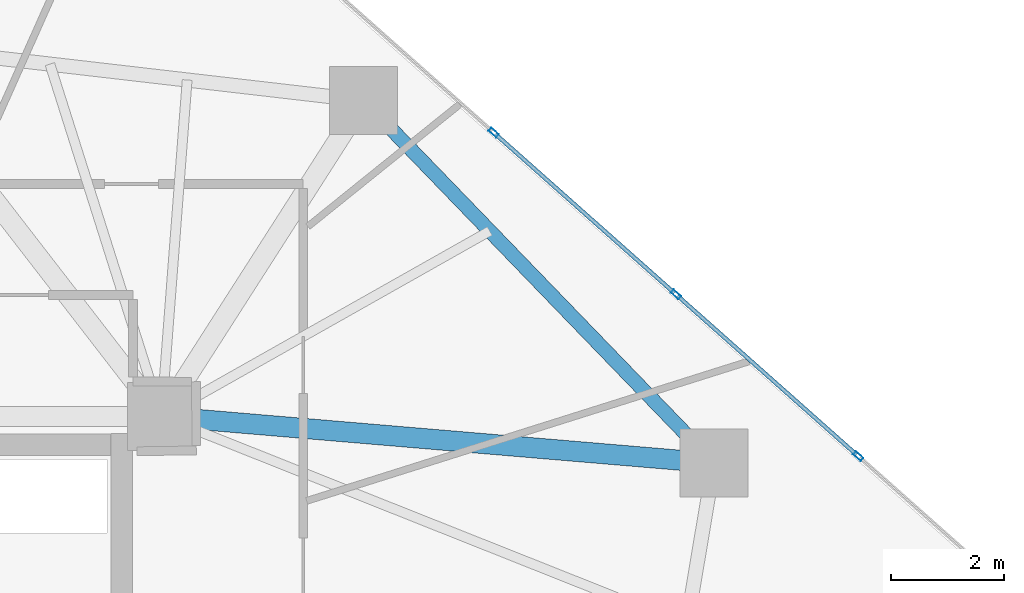
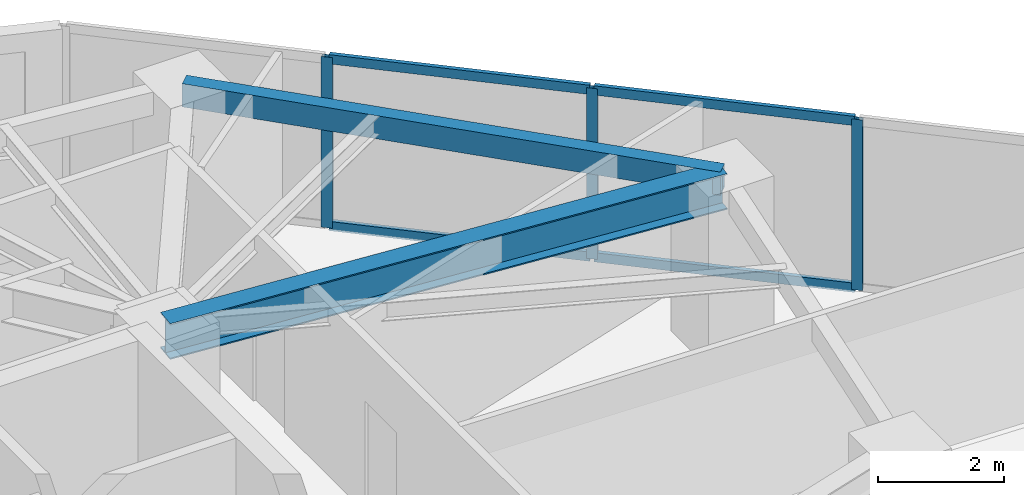
# One storey, part 14 of 24: 7 members, 2 beams, 1 element without a shape of its own.
"""IFC4 building model written with IfcOpenShell, lengths in metres."""

from ifc_helpers import new_model, si_unit, direction, frame, origin, origin_2d, place, context, subcontext, project, spatial, hollow_rectangle, i_section, extrude, source, transform, mapped, material, layer, layer_set, material_profile, profile_set, type_object, type_shapes, element, aggregate, save


model = new_model("IFC4")

# Units and contexts
model_context = context("Model", 3, precision=1e-05, world=origin(), true_north=direction((0.0, 1.0)))
body_context = subcontext(model_context, "Body", "Model", "MODEL_VIEW")
ifc_project = project(units=[si_unit("LENGTHUNIT", "METRE"), si_unit("AREAUNIT", "SQUARE_METRE"), si_unit("VOLUMEUNIT", "CUBIC_METRE"), si_unit("PLANEANGLEUNIT", "RADIAN"), si_unit("MASSUNIT", "GRAM", prefix="KILO")], contexts=[model_context])

# Site, building, storey
site_placement = place(None, origin())
site = spatial("IfcSite", under=ifc_project, at=site_placement, CompositionType="ELEMENT")
building_placement = place(site_placement, origin())
building = spatial("IfcBuilding", under=site, at=building_placement, Name="Talar Marvaseh", CompositionType="ELEMENT")
storey_placement = place(building_placement, frame((0.0, 0.0, 111.0)))
storey = spatial("IfcBuildingStorey", under=building, at=storey_placement, Name="L28", CompositionType="ELEMENT", Elevation=111.0)

# Beams
ifc_material_1 = material(Name="Steel S355", Category="steel")
ifc_material_profile_1 = material_profile(ifc_material_1, hollow_rectangle(XDim=0.25, YDim=0.449951171875, WallThickness=0.01611328125, at=origin_2d()), Name="RHS450x250x16")
ifc_profile_set_1 = profile_set([ifc_material_profile_1], Name="Steel S355")
beam_type_1 = type_object("IfcBeamType", Name="Zone 2 Perimeter Spandrel Beam RHS450x250x16", PredefinedType="SPANDREL", material=ifc_profile_set_1)
beam_1_placement = place(storey_placement, frame((36.865966796875, 42.470947265625, 3.0849609375), z_axis=(0.694796856243, -0.719206040405, 0.0), x_axis=(0.719206040405, 0.694796856243, 0.0)))
element("IfcBeam", 1, at=beam_1_placement, inside=storey, type_object=beam_type_1, Name="L28 Zone 2 Perimeter Spandrel Beam RHS450x250x16", PredefinedType="SPANDREL", context=body_context, shape_type="SweptSolid", body=[
    extrude(hollow_rectangle(XDim=0.25, YDim=0.449951171875, WallThickness=0.01611328125, at=origin_2d()), origin(), (0.0, 0.0, 1.0), 8.891845703125),
])
ifc_material_profile_2 = material_profile(ifc_material_1, i_section(OverallWidth=0.35498046875, OverallDepth=0.695068359375, WebThickness=0.015380859375, FlangeThickness=0.02490234375, at=origin_2d()), Name="W690x217")
ifc_profile_set_2 = profile_set([ifc_material_profile_2], Name="Steel S355")
beam_type_2 = type_object("IfcBeamType", Name="Zone 2 Radial Floor Girder W690x217", PredefinedType="BEAM", material=ifc_profile_set_2)
beam_2_placement = place(storey_placement, frame((43.0439453125, 36.075927734375, 2.96240234375), z_axis=(-0.996443598923, 0.084262412527, 0.0), x_axis=(-0.084262412527, -0.996443598923, 0.0)))
element("IfcBeam", 2, at=beam_2_placement, inside=storey, type_object=beam_type_2, Name="L28 Zone 2 Radial Floor Girder W690x217", PredefinedType="BEAM", context=body_context, shape_type="SweptSolid", body=[
    extrude(i_section(OverallWidth=0.35498046875, OverallDepth=0.695068359375, WebThickness=0.015380859375, FlangeThickness=0.02490234375, at=origin_2d()), origin(), (0.0, 0.0, 1.0), 9.778564453125),
])

# Curtain wall, members
ifc_material_2 = material(Name="Architectural Aluminium", Category="aluminium")
ifc_layer = layer(ifc_material_2, 0.199951171875)
ifc_layer_set = layer_set([ifc_layer], Name="Architectural Aluminium")
curtain_wall_type = type_object("IfcCurtainWallType", Name="Unitised Acoustic Library Curtain Wall Z2", PredefinedType="NOTDEFINED", material=ifc_layer_set)
curtain_wall_placement = place(storey_placement, origin())
curtain_wall = element("IfcCurtainWall", 3, at=curtain_wall_placement, inside=storey, type_object=curtain_wall_type, Name="L28 Unitised Acoustic Library Curtain Wall Z2", PredefinedType="NOTDEFINED")
ifc_material_profile_3 = material_profile(ifc_material_2, hollow_rectangle(XDim=0.074951171875, YDim=0.179931640625, WallThickness=0.0048828125, at=origin_2d()), Name="RHS180x75x5")
ifc_profile_set_3 = profile_set([ifc_material_profile_3], Name="Architectural Aluminium")
member_type_1 = type_object("IfcMemberType", Name="Unitised Curtain Wall Standard Mullion RHS180x75x5", PredefinedType="MULLION", material=ifc_profile_set_3)
shared_shape_1 = source(origin(), body_context, "Body", "SweptSolid", [
    extrude(hollow_rectangle(XDim=0.074951171875, YDim=0.179931640625, WallThickness=0.0048828125, at=origin_2d()), origin(), (0.0, 0.0, 1.0), 3.31005859375),
])
type_shapes(member_type_1, [shared_shape_1])
member_1_placement = place(storey_placement, frame((39.158935546875, 41.9033203125, 0.0), z_axis=(0.0, 0.0, 1.0), x_axis=(0.663876651499, 0.747842090012, 0.0)))
member_1 = element("IfcMember", 4, at=member_1_placement, type_object=member_type_1, Name="CW-Z2 mullion 2", PredefinedType="MULLION", context=body_context, shape_type="MappedRepresentation", body=[
    mapped(shared_shape_1, transform((0.0, 0.0, 0.0), x_axis=(1.0, 0.0, 0.0), y_axis=(0.0, 1.0, 0.0), z_axis=(0.0, 0.0, 1.0), scale=1.0)),
])
member_2_placement = place(storey_placement, frame((42.373291015625, 39.050048828125, 0.0), z_axis=(0.0, 0.0, 1.0), x_axis=(0.663876651499, 0.747842090012, 0.0)))
member_2 = element("IfcMember", 5, at=member_2_placement, type_object=member_type_1, Name="CW-Z2 mullion 3", PredefinedType="MULLION", context=body_context, shape_type="MappedRepresentation", body=[
    mapped(shared_shape_1, transform((0.0, 0.0, 0.0), x_axis=(1.0, 0.0, 0.0), y_axis=(0.0, 1.0, 0.0), z_axis=(0.0, 0.0, 1.0), scale=1.0)),
])
member_3_placement = place(storey_placement, frame((45.58740234375, 36.19677734375, 0.0), z_axis=(0.0, 0.0, 1.0), x_axis=(0.663876651499, 0.747842090012, 0.0)))
member_3 = element("IfcMember", 6, at=member_3_placement, type_object=member_type_1, Name="CW-Z2 mullion 4", PredefinedType="MULLION", context=body_context, shape_type="MappedRepresentation", body=[
    mapped(shared_shape_1, transform((0.0, 0.0, 0.0), x_axis=(1.0, 0.0, 0.0), y_axis=(0.0, 1.0, 0.0), z_axis=(0.0, 0.0, 1.0), scale=1.0)),
])
ifc_material_profile_4 = material_profile(ifc_material_2, hollow_rectangle(XDim=0.074951171875, YDim=0.179931640625, WallThickness=0.0048828125, at=origin_2d()), Name="RHS180x75x5")
ifc_profile_set_4 = profile_set([ifc_material_profile_4], Name="Architectural Aluminium")
member_type_2 = type_object("IfcMemberType", Name="Unitised Curtain Wall Transom RHS180x75x5", PredefinedType="USERDEFINED", material=ifc_profile_set_4)
shared_shape_2 = source(origin(), body_context, "Body", "SweptSolid", [
    extrude(hollow_rectangle(XDim=0.074951171875, YDim=0.179931640625, WallThickness=0.0048828125, at=origin_2d()), origin(), (0.0, 0.0, 1.0), 4.222900390625),
])
type_shapes(member_type_2, [shared_shape_2])
member_4_placement = place(storey_placement, frame((39.18701171875, 41.87841796875, 0.03759765625), z_axis=(0.747858886637, -0.663857729998, 0.0), x_axis=(0.663857729998, 0.747858886637, 0.0)))
member_4 = element("IfcMember", 7, at=member_4_placement, type_object=member_type_2, Name="CW-Z2 transom 2.1", ObjectType="TRANSOM", PredefinedType="USERDEFINED", context=body_context, shape_type="MappedRepresentation", body=[
    mapped(shared_shape_2, transform((0.0, 0.0, 0.0), x_axis=(1.0, 0.0, 0.0), y_axis=(0.0, 1.0, 0.0), z_axis=(0.0, 0.0, 1.0), scale=1.0)),
])
member_5_placement = place(storey_placement, frame((39.18701171875, 41.87841796875, 3.2724609375), z_axis=(0.747858886637, -0.663857729998, 0.0), x_axis=(0.663857729998, 0.747858886637, 0.0)))
member_5 = element("IfcMember", 8, at=member_5_placement, type_object=member_type_2, Name="CW-Z2 transom 2.2", ObjectType="TRANSOM", PredefinedType="USERDEFINED", context=body_context, shape_type="MappedRepresentation", body=[
    mapped(shared_shape_2, transform((0.0, 0.0, 0.0), x_axis=(1.0, 0.0, 0.0), y_axis=(0.0, 1.0, 0.0), z_axis=(0.0, 0.0, 1.0), scale=1.0)),
])
member_6_placement = place(storey_placement, frame((42.401123046875, 39.025146484375, 0.03759765625), z_axis=(0.747858886637, -0.663857729998, 0.0), x_axis=(0.663857729998, 0.747858886637, 0.0)))
member_6 = element("IfcMember", 9, at=member_6_placement, type_object=member_type_2, Name="CW-Z2 transom 3.1", ObjectType="TRANSOM", PredefinedType="USERDEFINED", context=body_context, shape_type="MappedRepresentation", body=[
    mapped(shared_shape_2, transform((0.0, 0.0, 0.0), x_axis=(1.0, 0.0, 0.0), y_axis=(0.0, 1.0, 0.0), z_axis=(0.0, 0.0, 1.0), scale=1.0)),
])
member_7_placement = place(storey_placement, frame((42.401123046875, 39.025146484375, 3.2724609375), z_axis=(0.747858886637, -0.663857729998, 0.0), x_axis=(0.663857729998, 0.747858886637, 0.0)))
member_7 = element("IfcMember", 10, at=member_7_placement, type_object=member_type_2, Name="CW-Z2 transom 3.2", ObjectType="TRANSOM", PredefinedType="USERDEFINED", context=body_context, shape_type="MappedRepresentation", body=[
    mapped(shared_shape_2, transform((0.0, 0.0, 0.0), x_axis=(1.0, 0.0, 0.0), y_axis=(0.0, 1.0, 0.0), z_axis=(0.0, 0.0, 1.0), scale=1.0)),
])
aggregate(curtain_wall, [member_1, member_2, member_3, member_4, member_5, member_6, member_7])

save(model, "model.ifc")
